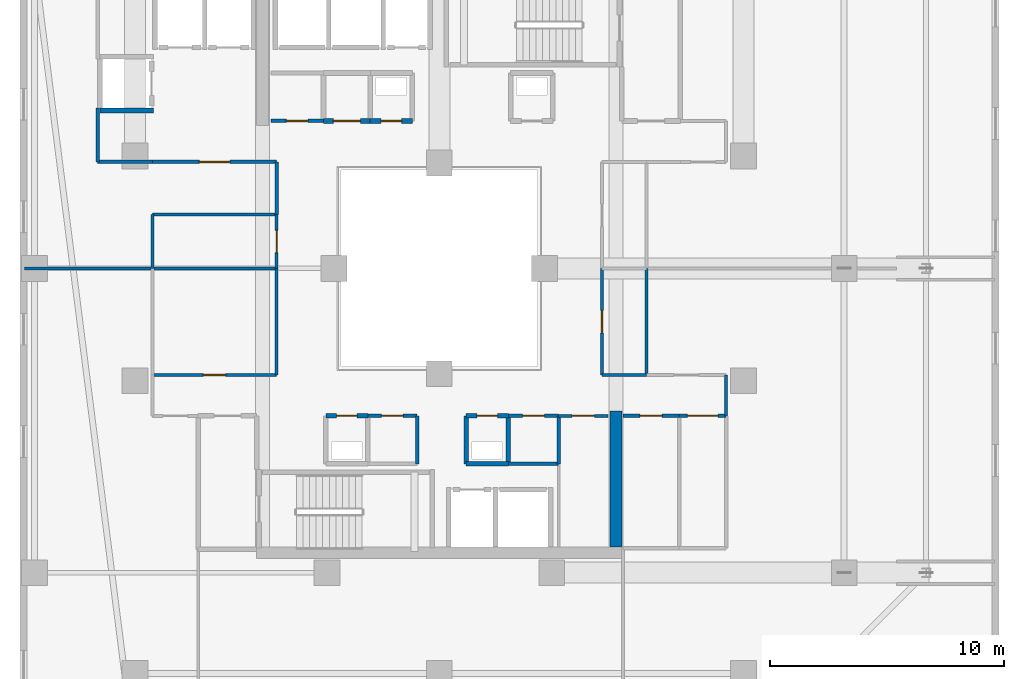
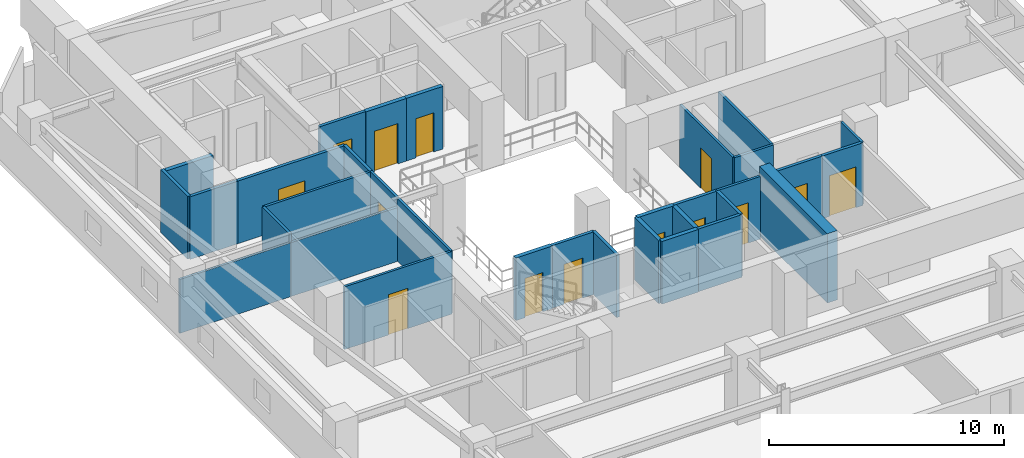
# One storey, part 23 of 36: 33 walls, 14 doors, 14 openings.
"""IFC4 building model written with IfcOpenShell, lengths in metres."""

import ifcopenshell
import ifcopenshell.guid

model = None  # the IFC model being written
_history = None  # IfcOwnerHistory: only IFC2X3 demands one
_inside = {}  # id of a spatial element -> (the spatial element, [elements in it])
_under = {}  # id of a project, library or spatial element -> (it, [spatial elements below it])
_declared = {}  # id of a project -> (the project, [libraries it declares])
_typed = {}  # id of a type object -> (the type object, [elements of that type])
_made_of = {}  # id of a material, layer set ... -> (it, [elements and type objects made of it])


def new_model(schema):
    """Start an empty IFC model of exactly this schema.

    Asked for "IFC4X3", IfcOpenShell would pick the latest addendum, in which some entities
    have other attributes; the version numbers below select the first issue.
    IFC2X3 requires an IfcOwnerHistory on every rooted entity: one is made here for all.
    """
    global model, _history
    if schema == "IFC4X3":
        model = ifcopenshell.file(schema_version=(4, 3, 0, 0))
    else:
        model = ifcopenshell.file(schema=schema)
    _inside.clear()
    _under.clear()
    _declared.clear()
    _typed.clear()
    _made_of.clear()
    _history = None
    if model.schema == "IFC2X3":
        org = make("IfcOrganization", Name="unknown")
        user = make(
            "IfcPersonAndOrganization",
            ThePerson=make("IfcPerson", FamilyName="unknown"),
            TheOrganization=org,
        )
        app = make(
            "IfcApplication",
            ApplicationDeveloper=org,
            Version="unknown",
            ApplicationFullName="unknown",
            ApplicationIdentifier="unknown",
        )
        _history = make(
            "IfcOwnerHistory",
            OwningUser=user,
            OwningApplication=app,
            ChangeAction="ADDED",
            CreationDate=0,
        )
    return model


def make(cls, **values):
    """One entity of the class cls with the attributes given. An attribute that is None is left unset."""
    return model.create_entity(
        cls, **{name: value for name, value in values.items() if value is not None}
    )


def rooted(cls, **values):
    """An entity with a GlobalId (a new one), such as an element, a storey or a relation."""
    return make(cls, GlobalId=ifcopenshell.guid.new(), OwnerHistory=_history, **values)


def si_unit(unit_type, name, prefix=None):
    """IfcSIUnit, for example si_unit("LENGTHUNIT", "METRE", prefix="MILLI")."""
    return make("IfcSIUnit", UnitType=unit_type, Prefix=prefix, Name=name)


def assignment(units):
    """IfcUnitAssignment: the units of a project."""
    return None if units is None else make("IfcUnitAssignment", Units=units)


def point(xyz):
    """IfcCartesianPoint."""
    return None if xyz is None else make("IfcCartesianPoint", Coordinates=xyz)


def direction(xyz):
    """IfcDirection."""
    return None if xyz is None else make("IfcDirection", DirectionRatios=xyz)


def frame(location, z_axis=None, x_axis=None):
    """IfcAxis2Placement3D, a coordinate frame: its origin and axes. An axis left out is left unset."""
    return make(
        "IfcAxis2Placement3D",
        Location=point(location),
        Axis=direction(z_axis),
        RefDirection=direction(x_axis),
    )


def frame_2d(location, x_axis=None):
    """IfcAxis2Placement2D, a coordinate frame in the plane: its origin and x axis."""
    return make(
        "IfcAxis2Placement2D", Location=point(location), RefDirection=direction(x_axis)
    )


def origin():
    """The frame at (0, 0, 0) with its axes left unset."""
    return frame((0.0, 0.0, 0.0))


def place(relative_to, where):
    """IfcLocalPlacement: puts the frame where relative to a parent placement (None: the world)."""
    return make(
        "IfcLocalPlacement", PlacementRelTo=relative_to, RelativePlacement=where
    )


def context(
    kind, dimensions, precision=None, world=None, true_north=None, identifier=None
):
    """IfcGeometricRepresentationContext, for example the 3D "Model" context."""
    return make(
        "IfcGeometricRepresentationContext",
        ContextIdentifier=identifier,
        ContextType=kind,
        CoordinateSpaceDimension=dimensions,
        Precision=precision,
        WorldCoordinateSystem=world,
        TrueNorth=true_north,
    )


def subcontext(parent, identifier, kind, view, scale=None):
    """IfcGeometricRepresentationSubContext, for example "Body" below "Model"."""
    return make(
        "IfcGeometricRepresentationSubContext",
        ContextIdentifier=identifier,
        ContextType=kind,
        ParentContext=parent,
        TargetScale=scale,
        TargetView=view,
    )


def project(units=None, contexts=None):
    """IfcProject with its units and contexts."""
    return rooted(
        "IfcProject",
        Name="project",
        RepresentationContexts=contexts,
        UnitsInContext=assignment(units),
    )


def spatial(cls, under=None, at=None, **own):
    """A site, building, storey or space (cls), placed at a placement, below another one or the project."""
    s = rooted(cls, ObjectPlacement=at, **own)
    if under is not None:
        _under.setdefault(under.id(), (under, []))[1].append(s)
    return s


def profile(cls, at=None, kind="AREA", **sizes):
    """A parametric profile (cls). Its sizes go by their IFC names, for example OverallWidth=200.0."""
    return make(cls, ProfileType=kind, Position=at, **sizes)


def rectangle(**sizes):
    """IfcRectangleProfileDef."""
    return profile("IfcRectangleProfileDef", **sizes)


def extrude(swept, where, along, depth):
    """IfcExtrudedAreaSolid: the profile swept, set in the frame where, extruded along a direction by depth."""
    return make(
        "IfcExtrudedAreaSolid",
        SweptArea=swept,
        Position=where,
        ExtrudedDirection=direction(along),
        Depth=depth,
    )


def shape(context_of_items, identifier, shape_type, items):
    """IfcShapeRepresentation: the items that make up one representation, for example the "Body"."""
    return make(
        "IfcShapeRepresentation",
        ContextOfItems=context_of_items,
        RepresentationIdentifier=identifier,
        RepresentationType=shape_type,
        Items=items,
    )


def material(Name=None, Category=None):
    """IfcMaterial."""
    return make("IfcMaterial", Name=Name, Category=Category)


def layer(
    of_material, thickness, ventilated=None, Name=None, Category=None, Priority=None
):
    """IfcMaterialLayer: one layer of a wall or slab, of a material (None: an air gap)."""
    return make(
        "IfcMaterialLayer",
        Material=of_material,
        LayerThickness=thickness,
        IsVentilated=ventilated,
        Name=Name,
        Category=Category,
        Priority=Priority,
    )


def layer_set(layers, Name=None):
    """IfcMaterialLayerSet."""
    return make("IfcMaterialLayerSet", MaterialLayers=layers, LayerSetName=Name)


def made_of(thing, what):
    """Note that an element or type object is made of a material, layer set ...; save() writes the relation."""
    if what is not None:
        _made_of.setdefault(what.id(), (what, []))[1].append(thing)
    return thing


def type_object(cls, material=None, **own):
    """A type object (cls), such as IfcWallType, which elements share."""
    return made_of(rooted(cls, **own), material)


def element(
    cls,
    number,
    at=None,
    inside=None,
    cuts=None,
    type_object=None,
    material=None,
    context=None,
    identifier="Body",
    shape_type=None,
    held_by="IfcProductDefinitionShape",
    body=None,
    shapes=None,
    **own,
):
    """One element of the class cls, such as IfcWall. Its Tag is "e" and its number.

    at: its placement. inside: the storey or other place that contains it. cuts: it is an
    opening in that element (IfcRelVoidsElement). A single representation is given by context,
    identifier, shape_type and body (its items); several are given by shapes. held_by: the class
    of the entity that holds the representations. save() writes the other relations.
    """
    e = rooted(cls, Tag="e%d" % number, ObjectPlacement=at, **own)
    if body is not None:
        shapes = [shape(context, identifier, shape_type, body)]
    if shapes is not None:
        e.Representation = make(held_by, Representations=shapes)
    if inside is not None:
        _inside.setdefault(inside.id(), (inside, []))[1].append(e)
    if cuts is not None:
        rooted(
            "IfcRelVoidsElement", RelatingBuildingElement=cuts, RelatedOpeningElement=e
        )
    if type_object is not None:
        _typed.setdefault(type_object.id(), (type_object, []))[1].append(e)
    return made_of(e, material)


def fill(opening, filler):
    """IfcRelFillsElement: the door or window that sits in an opening."""
    return rooted(
        "IfcRelFillsElement",
        RelatingOpeningElement=opening,
        RelatedBuildingElement=filler,
    )


def aggregate(whole, parts):
    """IfcRelAggregates: a whole, such as a stair, and the parts it consists of."""
    return rooted("IfcRelAggregates", RelatingObject=whole, RelatedObjects=parts)


def save(model, path):
    """Write the relations noted so far, then the file.

    IfcRelAggregates (storeys below a building ...), IfcRelContainedInSpatialStructure (elements
    in a storey), IfcRelDefinesByType, IfcRelAssociatesMaterial and IfcRelDeclares: one each for
    every whole, place, type object, material and project.
    """
    for whole, parts in _under.values():
        aggregate(whole, parts)
    for where, things in _inside.values():
        rooted(
            "IfcRelContainedInSpatialStructure",
            RelatedElements=things,
            RelatingStructure=where,
        )
    for kind, things in _typed.values():
        rooted("IfcRelDefinesByType", RelatedObjects=things, RelatingType=kind)
    for what, things in _made_of.values():
        rooted("IfcRelAssociatesMaterial", RelatedObjects=things, RelatingMaterial=what)
    for by, libraries in _declared.values():
        rooted("IfcRelDeclares", RelatingContext=by, RelatedDefinitions=libraries)
    model.write(path)


model = new_model("IFC4")

# Units and contexts
model_context = context("Model", 3, precision=1e-05, world=origin(), true_north=direction((0.0, 1.0)))
body_context = subcontext(model_context, "Body", "Model", "MODEL_VIEW")
ifc_project = project(units=[si_unit("LENGTHUNIT", "METRE"), si_unit("AREAUNIT", "SQUARE_METRE"), si_unit("VOLUMEUNIT", "CUBIC_METRE"), si_unit("PLANEANGLEUNIT", "RADIAN"), si_unit("MASSUNIT", "GRAM", prefix="KILO")], contexts=[model_context])

# Site, building, storey
site_placement = place(None, origin())
site = spatial("IfcSite", under=ifc_project, at=site_placement, CompositionType="ELEMENT")
building_placement = place(site_placement, origin())
building = spatial("IfcBuilding", under=site, at=building_placement, Name="Thornwick Lancets Civic Towers", CompositionType="ELEMENT")
storey_placement = place(building_placement, frame((0.0, 0.0, 170.699951171875)))
storey = spatial("IfcBuildingStorey", under=building, at=storey_placement, Name="L45", CompositionType="ELEMENT", Elevation=170.699951171875)

# Walls
ifc_material_1 = material(Name="Concrete blockwork C40/50", Category="masonry")
ifc_layer_1 = layer(ifc_material_1, 0.199951171875, Name="Concrete blockwork C40/50")
ifc_layer_set_1 = layer_set([ifc_layer_1], Name="Concrete blockwork C40/50")
wall_type_1 = type_object("IfcWallType", Name="WALL_COMP_200", PredefinedType="STANDARD", material=ifc_layer_set_1)
wall_1_placement = place(storey_placement, frame((11.001953125, 33.75, 0.0), z_axis=(0.0, 0.0, 1.0), x_axis=(1.0, 0.0, 0.0)))
element("IfcWall", 1, at=wall_1_placement, inside=storey, type_object=wall_type_1, Name="L45 Hoistway Shaft Wall PL-AM3 S", PredefinedType="STANDARD", context=body_context, shape_type="SweptSolid", body=[
    extrude(rectangle(XDim=2.296142578125, YDim=0.199951171875, at=frame_2d((1.14794921875, 0.0))), origin(), (0.0, 0.0, 1.0), 3.260009765625),
])
wall_2_placement = place(storey_placement, frame((26.64990234375, 18.64990234375, 0.0), z_axis=(0.0, 0.0, 1.0), x_axis=(1.0, 0.0, 0.0)))
element("IfcWall", 2, at=wall_2_placement, inside=storey, type_object=wall_type_1, Name="L45 Partition L45-A-DUCT1 E1", PredefinedType="STANDARD", context=body_context, shape_type="SweptSolid", body=[
    extrude(rectangle(XDim=1.800048828125, YDim=0.199951171875, at=frame_2d((0.89990234375, 0.0))), origin(), (0.0, 0.0, 1.0), 3.260009765625),
])
wall_3_placement = place(storey_placement, frame((28.449951171875, 18.64990234375, 0.0), z_axis=(0.0, 0.0, 1.0), x_axis=(0.0, 1.0, 0.0)))
element("IfcWall", 3, at=wall_3_placement, inside=storey, type_object=wall_type_1, Name="L45 Partition L45-A-DUCT1 E2", PredefinedType="STANDARD", context=body_context, shape_type="SweptSolid", body=[
    extrude(rectangle(XDim=2.050048828125, YDim=0.199951171875, at=frame_2d((1.02490234375, 0.0))), origin(), (0.0, 0.0, 1.0), 3.260009765625),
])

# Wall, opening, door
wall_4_placement = place(storey_placement, frame((28.449951171875, 20.699951171875, 0.0), z_axis=(0.0, 0.0, 1.0), x_axis=(-1.0, 0.0, 0.0)))
wall_4 = element("IfcWall", 4, at=wall_4_placement, inside=storey, type_object=wall_type_1, Name="L45 Partition L45-A-DUCT1 E3", PredefinedType="STANDARD", context=body_context, shape_type="SweptSolid", body=[
    extrude(rectangle(XDim=1.800048828125, YDim=0.199951171875, at=frame_2d((0.89990234375, 0.0))), origin(), (0.0, 0.0, 1.0), 3.260009765625),
])
opening_1_placement = place(wall_4_placement, frame((0.4599609375, 0.0, 0.0)))
opening_1 = element("IfcOpeningElement", 5, at=opening_1_placement, cuts=wall_4, Name="Opening D-L45-2005", PredefinedType="OPENING", context=body_context, shape_type="SweptSolid", body=[
    extrude(rectangle(XDim=0.8798828125, YDim=2.0400390625, at=frame_2d((0.43994140625, 1.02001953125))), frame((0.0, 0.10986328125, 0.0), z_axis=(0.0, -1.0, 0.0), x_axis=(1.0, 0.0, 0.0)), (0.0, 0.0, 1.0), 0.219970703125),
])
ifc_material_2 = material(Name="Steel riser access doorset", Category="steel")
door_type_1 = type_object("IfcDoorType", Name="DOOR_RISER_850", OperationType="NOTDEFINED", PredefinedType="DOOR", material=ifc_material_2)
door_1_placement = place(opening_1_placement, origin())
door_1 = element("IfcDoor", 6, at=door_1_placement, inside=storey, type_object=door_type_1, Name="L45 South Service Duct 1 Door", OperationType="SINGLE_SWING_RIGHT", OverallHeight=2.0400390625, OverallWidth=0.8798828125, PredefinedType="DOOR", context=body_context, shape_type="SweptSolid", body=[
    extrude(rectangle(XDim=0.8798828125, YDim=2.0400390625, at=frame_2d((0.43994140625, 1.02001953125))), frame((0.0, 0.02490234375, 0.0), z_axis=(0.0, -1.0, 0.0), x_axis=(1.0, 0.0, 0.0)), (0.0, 0.0, 1.0), 0.050048828125),
])
fill(opening_1, door_1)

# Wall
wall_5_placement = place(storey_placement, frame((26.64990234375, 20.699951171875, 0.0), z_axis=(0.0, 0.0, 1.0), x_axis=(0.0, -1.0, 0.0)))
element("IfcWall", 7, at=wall_5_placement, inside=storey, type_object=wall_type_1, Name="L45 Partition L45-A-DUCT1 E4", PredefinedType="STANDARD", context=body_context, shape_type="SweptSolid", body=[
    extrude(rectangle(XDim=2.050048828125, YDim=0.199951171875, at=frame_2d((1.02490234375, 0.0))), origin(), (0.0, 0.0, 1.0), 3.260009765625),
])

# Wall, opening, door
wall_6_placement = place(storey_placement, frame((22.449951171875, 20.699951171875, 0.0), z_axis=(0.0, 0.0, 1.0), x_axis=(-1.0, 0.0, 0.0)))
wall_6 = element("IfcWall", 8, at=wall_6_placement, inside=storey, type_object=wall_type_1, Name="L45 Partition L45-A-RISER1 E3", PredefinedType="STANDARD", context=body_context, shape_type="SweptSolid", body=[
    extrude(rectangle(XDim=1.800048828125, YDim=0.199951171875, at=frame_2d((0.89990234375, 0.0))), origin(), (0.0, 0.0, 1.0), 3.260009765625),
])
opening_2_placement = place(wall_6_placement, frame((0.4599609375, 0.0, 0.0)))
opening_2 = element("IfcOpeningElement", 9, at=opening_2_placement, cuts=wall_6, Name="Opening D-L45-2006", PredefinedType="OPENING", context=body_context, shape_type="SweptSolid", body=[
    extrude(rectangle(XDim=0.8798828125, YDim=2.0400390625, at=frame_2d((0.43994140625, 1.02001953125))), frame((0.0, 0.10986328125, 0.0), z_axis=(0.0, -1.0, 0.0), x_axis=(1.0, 0.0, 0.0)), (0.0, 0.0, 1.0), 0.219970703125),
])
door_2_placement = place(opening_2_placement, origin())
door_2 = element("IfcDoor", 10, at=door_2_placement, inside=storey, type_object=door_type_1, Name="L45 South Electrical Riser 1 Door", OperationType="SINGLE_SWING_LEFT", OverallHeight=2.0400390625, OverallWidth=0.8798828125, PredefinedType="DOOR", context=body_context, shape_type="SweptSolid", body=[
    extrude(rectangle(XDim=0.8798828125, YDim=2.0400390625, at=frame_2d((0.43994140625, 1.02001953125))), frame((0.0, 0.02490234375, 0.0), z_axis=(0.0, -1.0, 0.0), x_axis=(1.0, 0.0, 0.0)), (0.0, 0.0, 1.0), 0.050048828125),
])
fill(opening_2, door_2)

wall_7_placement = place(storey_placement, frame((22.550048828125, 33.300048828125, 0.0), z_axis=(0.0, 0.0, 1.0), x_axis=(1.0, 0.0, 0.0)))
wall_7 = element("IfcWall", 11, at=wall_7_placement, inside=storey, type_object=wall_type_1, Name="L45 Partition L45-A-DUCT2 E1", PredefinedType="STANDARD", context=body_context, shape_type="SweptSolid", body=[
    extrude(rectangle(XDim=1.800048828125, YDim=0.199951171875, at=frame_2d((0.89990234375, 0.0))), origin(), (0.0, 0.0, 1.0), 3.260009765625),
])
opening_3_placement = place(wall_7_placement, frame((0.4599609375, 0.0, 0.0)))
opening_3 = element("IfcOpeningElement", 12, at=opening_3_placement, cuts=wall_7, Name="Opening D-L45-2007", PredefinedType="OPENING", context=body_context, shape_type="SweptSolid", body=[
    extrude(rectangle(XDim=0.8798828125, YDim=2.0400390625, at=frame_2d((0.43994140625, 1.02001953125))), frame((0.0, 0.10986328125, 0.0), z_axis=(0.0, -1.0, 0.0), x_axis=(1.0, 0.0, 0.0)), (0.0, 0.0, 1.0), 0.219970703125),
])
door_3_placement = place(opening_3_placement, origin())
door_3 = element("IfcDoor", 13, at=door_3_placement, inside=storey, type_object=door_type_1, Name="L45 North Service Duct 2 Door", OperationType="SINGLE_SWING_RIGHT", OverallHeight=2.0400390625, OverallWidth=0.8798828125, PredefinedType="DOOR", context=body_context, shape_type="SweptSolid", body=[
    extrude(rectangle(XDim=0.8798828125, YDim=2.0400390625, at=frame_2d((0.43994140625, 1.02001953125))), frame((0.0, 0.02490234375, 0.0), z_axis=(0.0, -1.0, 0.0), x_axis=(1.0, 0.0, 0.0)), (0.0, 0.0, 1.0), 0.050048828125),
])
fill(opening_3, door_3)

wall_8_placement = place(storey_placement, frame((22.550048828125, 33.300048828125, 0.0), z_axis=(0.0, 0.0, 1.0), x_axis=(-1.0, 0.0, 0.0)))
wall_8 = element("IfcWall", 14, at=wall_8_placement, inside=storey, type_object=wall_type_1, Name="L45 Partition L45-A-STR E4", PredefinedType="STANDARD", context=body_context, shape_type="SweptSolid", body=[
    extrude(rectangle(XDim=2.0, YDim=0.199951171875, at=frame_2d((1.0, 0.0))), origin(), (0.0, 0.0, 1.0), 3.260009765625),
])
opening_4_placement = place(wall_8_placement, frame((0.425048828125, 0.0, 0.0)))
opening_4 = element("IfcOpeningElement", 15, at=opening_4_placement, cuts=wall_8, Name="Opening D-L45-2013", PredefinedType="OPENING", context=body_context, shape_type="SweptSolid", body=[
    extrude(rectangle(XDim=1.14990234375, YDim=2.10009765625, at=frame_2d((0.574951171875, 1.050048828125))), frame((0.0, 0.10986328125, 0.0), z_axis=(0.0, -1.0, 0.0), x_axis=(1.0, 0.0, 0.0)), (0.0, 0.0, 1.0), 0.219970703125),
])
ifc_material_3 = material(Name="Glazed fire-resisting steel", Category="steel")
door_type_2 = type_object("IfcDoorType", Name="DOOR_LOBBY_FD60", OperationType="NOTDEFINED", PredefinedType="DOOR", material=ifc_material_3)
door_4_placement = place(opening_4_placement, origin())
door_4 = element("IfcDoor", 16, at=door_4_placement, inside=storey, type_object=door_type_2, Name="L45 Tower A Core Records Store Door", OperationType="SINGLE_SWING_RIGHT", OverallHeight=2.10009765625, OverallWidth=1.14990234375, PredefinedType="DOOR", context=body_context, shape_type="SweptSolid", body=[
    extrude(rectangle(XDim=1.14990234375, YDim=2.10009765625, at=frame_2d((0.574951171875, 1.050048828125))), frame((0.0, 0.02490234375, 0.0), z_axis=(0.0, -1.0, 0.0), x_axis=(1.0, 0.0, 0.0)), (0.0, 0.0, 1.0), 0.050048828125),
])
fill(opening_4, door_4)

# Wall
ifc_material_4 = material(Name="Concrete C50/60", Category="concrete")
ifc_layer_2 = layer(ifc_material_4, 0.5, Name="Concrete C50/60")
ifc_layer_set_2 = layer_set([ifc_layer_2], Name="Concrete C50/60")
wall_type_2 = type_object("IfcWallType", Name="WALL_CORE_500", PredefinedType="SHEAR", material=ifc_layer_set_2)
wall_9_placement = place(storey_placement, frame((33.050048828125, 15.10009765625, 0.0), z_axis=(0.0, 0.0, 1.0), x_axis=(0.0, 1.0, 0.0)))
element("IfcWall", 17, at=wall_9_placement, inside=storey, type_object=wall_type_2, Name="L45 Split Core A1 Shear Wall E", PredefinedType="SHEAR", context=body_context, shape_type="SweptSolid", body=[
    extrude(rectangle(XDim=5.7998046875, YDim=0.5, at=frame_2d((2.89990234375, 0.0))), origin(), (0.0, 0.0, 1.0), 3.60009765625),
])

# Wall, opening, door
ifc_material_5 = material(Name="Acoustic gypsum board partition")
ifc_layer_3 = layer(ifc_material_5, 0.1201171875, Name="Acoustic gypsum board partition")
ifc_layer_set_3 = layer_set([ifc_layer_3], Name="Acoustic gypsum board partition")
wall_type_3 = type_object("IfcWallType", Name="WALL_PART_120", PredefinedType="PARTITIONING", material=ifc_layer_set_3)
wall_10_placement = place(storey_placement, frame((30.60009765625, 20.699951171875, 0.0), z_axis=(0.0, 0.0, 1.0), x_axis=(1.0, 0.0, 0.0)))
wall_10 = element("IfcWall", 18, at=wall_10_placement, inside=storey, type_object=wall_type_3, Name="L45 Partition L45-A-ITR E5", PredefinedType="PARTITIONING", context=body_context, shape_type="SweptSolid", body=[
    extrude(rectangle(XDim=2.099853515625, YDim=0.1201171875, at=frame_2d((1.0498046875, 0.0))), origin(), (0.0, 0.0, 1.0), 3.260009765625),
])
opening_5_placement = place(wall_10_placement, frame((0.574951171875, 0.0, 0.0)))
opening_5 = element("IfcOpeningElement", 19, at=opening_5_placement, cuts=wall_10, Name="Opening D-L45-2011", PredefinedType="OPENING", context=body_context, shape_type="SweptSolid", body=[
    extrude(rectangle(XDim=0.949951171875, YDim=2.10009765625, at=frame_2d((0.47509765625, 1.050048828125))), frame((0.0, 0.070068359375, 0.0), z_axis=(0.0, -1.0, 0.0), x_axis=(1.0, 0.0, 0.0)), (0.0, 0.0, 1.0), 0.14013671875),
])
ifc_material_6 = material(Name="European oak acoustic doorset")
door_type_3 = type_object("IfcDoorType", Name="DOOR_OFFICE_950", OperationType="NOTDEFINED", PredefinedType="DOOR", material=ifc_material_6)
door_5_placement = place(opening_5_placement, origin())
door_5 = element("IfcDoor", 20, at=door_5_placement, inside=storey, type_object=door_type_3, Name="L45 Tower A Comms Patch Room Door", OperationType="SINGLE_SWING_RIGHT", OverallHeight=2.10009765625, OverallWidth=0.949951171875, PredefinedType="DOOR", context=body_context, shape_type="SweptSolid", body=[
    extrude(rectangle(XDim=0.949951171875, YDim=2.10009765625, at=frame_2d((0.47509765625, 1.050048828125))), frame((0.0, 0.02490234375, 0.0), z_axis=(0.0, -1.0, 0.0), x_axis=(1.0, 0.0, 0.0)), (0.0, 0.0, 1.0), 0.050048828125),
])
fill(opening_5, door_5)

# Walls
wall_11_placement = place(storey_placement, frame((7.780029296875, 27.0, 0.0), z_axis=(0.0, 0.0, 1.0), x_axis=(1.0, 0.0, 0.0)))
element("IfcWall", 21, at=wall_11_placement, inside=storey, type_object=wall_type_3, Name="L45 Partition L45-A-W1 E9", PredefinedType="PARTITIONING", context=body_context, shape_type="SweptSolid", body=[
    extrude(rectangle(XDim=5.469970703125, YDim=0.1201171875, at=frame_2d((2.73486328125, 0.0))), origin(), (0.0, 0.0, 1.0), 2.8017578125),
])
wall_12_placement = place(storey_placement, frame((13.25, 27.0, 0.0), z_axis=(0.0, 0.0, 1.0), x_axis=(1.0, 0.0, 0.0)))
element("IfcWall", 22, at=wall_12_placement, inside=storey, type_object=wall_type_3, Name="L45 Partition L45-A-W2 E2", PredefinedType="PARTITIONING", context=body_context, shape_type="SweptSolid", body=[
    extrude(rectangle(XDim=5.300048828125, YDim=0.1201171875, at=frame_2d((2.64990234375, 0.0))), origin(), (0.0, 0.0, 1.0), 2.8017578125),
])
wall_13_placement = place(storey_placement, frame((18.550048828125, 27.0, 0.0), z_axis=(0.0, 0.0, 1.0), x_axis=(0.0, -1.0, 0.0)))
element("IfcWall", 23, at=wall_13_placement, inside=storey, type_object=wall_type_3, Name="L45 Partition L45-A-W2 E3", PredefinedType="PARTITIONING", context=body_context, shape_type="SweptSolid", body=[
    extrude(rectangle(XDim=4.550048828125, YDim=0.1201171875, at=frame_2d((2.27490234375, 0.0))), origin(), (0.0, 0.0, 1.0), 3.260009765625),
])

# Wall, opening, door
wall_14_placement = place(storey_placement, frame((18.550048828125, 22.449951171875, 0.0), z_axis=(0.0, 0.0, 1.0), x_axis=(-1.0, 0.0, 0.0)))
wall_14 = element("IfcWall", 24, at=wall_14_placement, inside=storey, type_object=wall_type_3, Name="L45 Partition L45-A-W2 E4", PredefinedType="PARTITIONING", context=body_context, shape_type="SweptSolid", body=[
    extrude(rectangle(XDim=5.300048828125, YDim=0.1201171875, at=frame_2d((2.64990234375, 0.0))), origin(), (0.0, 0.0, 1.0), 3.260009765625),
])
opening_6_placement = place(wall_14_placement, frame((2.175048828125, 0.0, 0.0)))
opening_6 = element("IfcOpeningElement", 25, at=opening_6_placement, cuts=wall_14, Name="Opening D-L45-2028", PredefinedType="OPENING", context=body_context, shape_type="SweptSolid", body=[
    extrude(rectangle(XDim=0.949951171875, YDim=2.10009765625, at=frame_2d((0.47509765625, 1.050048828125))), frame((0.0, 0.070068359375, 0.0), z_axis=(0.0, -1.0, 0.0), x_axis=(1.0, 0.0, 0.0)), (0.0, 0.0, 1.0), 0.14013671875),
])
door_6_placement = place(opening_6_placement, origin())
door_6 = element("IfcDoor", 26, at=door_6_placement, inside=storey, type_object=door_type_3, Name="L45 Tower A Statutory Research Suite Door", OperationType="SINGLE_SWING_LEFT", OverallHeight=2.10009765625, OverallWidth=0.949951171875, PredefinedType="DOOR", context=body_context, shape_type="SweptSolid", body=[
    extrude(rectangle(XDim=0.949951171875, YDim=2.10009765625, at=frame_2d((0.47509765625, 1.050048828125))), frame((0.0, 0.02490234375, 0.0), z_axis=(0.0, -1.0, 0.0), x_axis=(1.0, 0.0, 0.0)), (0.0, 0.0, 1.0), 0.050048828125),
])
fill(opening_6, door_6)

# Walls
wall_15_placement = place(storey_placement, frame((13.25, 27.0, 0.0), z_axis=(0.0, 0.0, 1.0), x_axis=(0.0, 1.0, 0.0)))
element("IfcWall", 27, at=wall_15_placement, inside=storey, type_object=wall_type_3, Name="L45 Partition L45-A-W3 E1", PredefinedType="PARTITIONING", context=body_context, shape_type="SweptSolid", body=[
    extrude(rectangle(XDim=2.300048828125, YDim=0.1201171875, at=frame_2d((1.14990234375, 0.0))), origin(), (0.0, 0.0, 1.0), 3.260009765625),
])
wall_16_placement = place(storey_placement, frame((13.25, 29.300048828125, 0.0), z_axis=(0.0, 0.0, 1.0), x_axis=(1.0, 0.0, 0.0)))
element("IfcWall", 28, at=wall_16_placement, inside=storey, type_object=wall_type_3, Name="L45 Partition L45-A-W3 E2", PredefinedType="PARTITIONING", context=body_context, shape_type="SweptSolid", body=[
    extrude(rectangle(XDim=5.300048828125, YDim=0.1201171875, at=frame_2d((2.64990234375, 0.0))), origin(), (0.0, 0.0, 1.0), 3.260009765625),
])

# Wall, opening, door
wall_17_placement = place(storey_placement, frame((18.550048828125, 29.300048828125, 0.0), z_axis=(0.0, 0.0, 1.0), x_axis=(0.0, -1.0, 0.0)))
wall_17 = element("IfcWall", 29, at=wall_17_placement, inside=storey, type_object=wall_type_3, Name="L45 Partition L45-A-W3 E3", PredefinedType="PARTITIONING", context=body_context, shape_type="SweptSolid", body=[
    extrude(rectangle(XDim=2.300048828125, YDim=0.1201171875, at=frame_2d((1.14990234375, 0.0))), origin(), (0.0, 0.0, 1.0), 3.260009765625),
])
opening_7_placement = place(wall_17_placement, frame((0.675048828125, 0.0, 0.0)))
opening_7 = element("IfcOpeningElement", 30, at=opening_7_placement, cuts=wall_17, Name="Opening D-L45-2029", PredefinedType="OPENING", context=body_context, shape_type="SweptSolid", body=[
    extrude(rectangle(XDim=0.949951171875, YDim=2.10009765625, at=frame_2d((0.47509765625, 1.050048828125))), frame((0.0, 0.070068359375, 0.0), z_axis=(0.0, -1.0, 0.0), x_axis=(1.0, 0.0, 0.0)), (0.0, 0.0, 1.0), 0.14013671875),
])
door_7_placement = place(opening_7_placement, origin())
door_7 = element("IfcDoor", 31, at=door_7_placement, inside=storey, type_object=door_type_3, Name="L45 Tower A Staff Tea Pantry and Lounge Door", OperationType="SINGLE_SWING_RIGHT", OverallHeight=2.10009765625, OverallWidth=0.949951171875, PredefinedType="DOOR", context=body_context, shape_type="SweptSolid", body=[
    extrude(rectangle(XDim=0.949951171875, YDim=2.10009765625, at=frame_2d((0.47509765625, 1.050048828125))), frame((0.0, 0.02490234375, 0.0), z_axis=(0.0, -1.0, 0.0), x_axis=(1.0, 0.0, 0.0)), (0.0, 0.0, 1.0), 0.050048828125),
])
fill(opening_7, door_7)

wall_18_placement = place(storey_placement, frame((32.449951171875, 22.449951171875, 0.0), z_axis=(0.0, 0.0, 1.0), x_axis=(0.0, 1.0, 0.0)))
wall_18 = element("IfcWall", 32, at=wall_18_placement, inside=storey, type_object=wall_type_3, Name="L45 Partition L45-A-E1 E1", PredefinedType="PARTITIONING", context=body_context, shape_type="SweptSolid", body=[
    extrude(rectangle(XDim=4.550048828125, YDim=0.1201171875, at=frame_2d((2.27490234375, 0.0))), origin(), (0.0, 0.0, 1.0), 3.260009765625),
])
opening_8_placement = place(wall_18_placement, frame((1.800048828125, 0.0, 0.0)))
opening_8 = element("IfcOpeningElement", 33, at=opening_8_placement, cuts=wall_18, Name="Opening D-L45-2031", PredefinedType="OPENING", context=body_context, shape_type="SweptSolid", body=[
    extrude(rectangle(XDim=0.949951171875, YDim=2.10009765625, at=frame_2d((0.47509765625, 1.050048828125))), frame((0.0, 0.070068359375, 0.0), z_axis=(0.0, -1.0, 0.0), x_axis=(1.0, 0.0, 0.0)), (0.0, 0.0, 1.0), 0.14013671875),
])
door_8_placement = place(opening_8_placement, origin())
door_8 = element("IfcDoor", 34, at=door_8_placement, inside=storey, type_object=door_type_3, Name="L45 Tower A Visitors Reception and Waiting Door", OperationType="SINGLE_SWING_RIGHT", OverallHeight=2.10009765625, OverallWidth=0.949951171875, PredefinedType="DOOR", context=body_context, shape_type="SweptSolid", body=[
    extrude(rectangle(XDim=0.949951171875, YDim=2.10009765625, at=frame_2d((0.47509765625, 1.050048828125))), frame((0.0, 0.02490234375, 0.0), z_axis=(0.0, -1.0, 0.0), x_axis=(1.0, 0.0, 0.0)), (0.0, 0.0, 1.0), 0.050048828125),
])
fill(opening_8, door_8)

# Walls
wall_19_placement = place(storey_placement, frame((34.35009765625, 27.0, 0.0), z_axis=(0.0, 0.0, 1.0), x_axis=(0.0, -1.0, 0.0)))
element("IfcWall", 35, at=wall_19_placement, inside=storey, type_object=wall_type_3, Name="L45 Partition L45-A-E1 E3", PredefinedType="PARTITIONING", context=body_context, shape_type="SweptSolid", body=[
    extrude(rectangle(XDim=4.550048828125, YDim=0.1201171875, at=frame_2d((2.27490234375, 0.0))), origin(), (0.0, 0.0, 1.0), 3.260009765625),
])
wall_20_placement = place(storey_placement, frame((34.35009765625, 22.449951171875, 0.0), z_axis=(0.0, 0.0, 1.0), x_axis=(-1.0, 0.0, 0.0)))
element("IfcWall", 36, at=wall_20_placement, inside=storey, type_object=wall_type_3, Name="L45 Partition L45-A-E1 E4", PredefinedType="PARTITIONING", context=body_context, shape_type="SweptSolid", body=[
    extrude(rectangle(XDim=1.900146484375, YDim=0.1201171875, at=frame_2d((0.9501953125, 0.0))), origin(), (0.0, 0.0, 1.0), 3.260009765625),
])
wall_21_placement = place(storey_placement, frame((37.75, 20.699951171875, 0.0), z_axis=(0.0, 0.0, 1.0), x_axis=(0.0, 1.0, 0.0)))
element("IfcWall", 37, at=wall_21_placement, inside=storey, type_object=wall_type_3, Name="L45 Partition L45-A-E2 E6", PredefinedType="PARTITIONING", context=body_context, shape_type="SweptSolid", body=[
    extrude(rectangle(XDim=1.75, YDim=0.1201171875, at=frame_2d((0.875, 0.0))), origin(), (0.0, 0.0, 1.0), 3.260009765625),
])
ifc_material_7 = material(Name="Twin-stud acoustic gypsum board")
ifc_layer_4 = layer(ifc_material_7, 0.14990234375, Name="Twin-stud acoustic gypsum board")
ifc_layer_set_4 = layer_set([ifc_layer_4], Name="Twin-stud acoustic gypsum board")
wall_type_4 = type_object("IfcWallType", Name="WALL_PART_150", PredefinedType="PARTITIONING", material=ifc_layer_set_4)
wall_22_placement = place(storey_placement, frame((24.550048828125, 20.699951171875, 0.0), z_axis=(0.0, 0.0, 1.0), x_axis=(0.0, -1.0, 0.0)))
element("IfcWall", 38, at=wall_22_placement, inside=storey, type_object=wall_type_4, Name="L45 Partition L45-A-MWC E1", PredefinedType="PARTITIONING", context=body_context, shape_type="SweptSolid", body=[
    extrude(rectangle(XDim=2.050048828125, YDim=0.14990234375, at=frame_2d((1.02490234375, 0.0))), origin(), (0.0, 0.0, 1.0), 3.260009765625),
])

# Wall, opening, door
wall_23_placement = place(storey_placement, frame((22.449951171875, 20.699951171875, 0.0), z_axis=(0.0, 0.0, 1.0), x_axis=(1.0, 0.0, 0.0)))
wall_23 = element("IfcWall", 39, at=wall_23_placement, inside=storey, type_object=wall_type_4, Name="L45 Partition L45-A-MWC E4", PredefinedType="PARTITIONING", context=body_context, shape_type="SweptSolid", body=[
    extrude(rectangle(XDim=2.10009765625, YDim=0.14990234375, at=frame_2d((1.050048828125, 0.0))), origin(), (0.0, 0.0, 1.0), 3.260009765625),
])
opening_9_placement = place(wall_23_placement, frame((0.590087890625, 0.0, 0.0)))
opening_9 = element("IfcOpeningElement", 40, at=opening_9_placement, cuts=wall_23, Name="Opening D-L45-2009", PredefinedType="OPENING", context=body_context, shape_type="SweptSolid", body=[
    extrude(rectangle(XDim=0.919921875, YDim=2.080078125, at=frame_2d((0.4599609375, 1.0400390625))), frame((0.0, 0.0849609375, 0.0), z_axis=(0.0, -1.0, 0.0), x_axis=(1.0, 0.0, 0.0)), (0.0, 0.0, 1.0), 0.169921875),
])
ifc_material_8 = material(Name="Moisture-resistant oak doorset")
door_type_4 = type_object("IfcDoorType", Name="DOOR_WC_900", OperationType="NOTDEFINED", PredefinedType="DOOR", material=ifc_material_8)
door_9_placement = place(opening_9_placement, origin())
door_9 = element("IfcDoor", 41, at=door_9_placement, inside=storey, type_object=door_type_4, Name="L45 Tower A Male WC Door", OperationType="SINGLE_SWING_RIGHT", OverallHeight=2.080078125, OverallWidth=0.919921875, PredefinedType="DOOR", context=body_context, shape_type="SweptSolid", body=[
    extrude(rectangle(XDim=0.919921875, YDim=2.080078125, at=frame_2d((0.4599609375, 1.0400390625))), frame((0.0, 0.02490234375, 0.0), z_axis=(0.0, -1.0, 0.0), x_axis=(1.0, 0.0, 0.0)), (0.0, 0.0, 1.0), 0.050048828125),
])
fill(opening_9, door_9)

# Walls
wall_24_placement = place(storey_placement, frame((30.60009765625, 20.699951171875, 0.0), z_axis=(0.0, 0.0, 1.0), x_axis=(0.0, -1.0, 0.0)))
element("IfcWall", 42, at=wall_24_placement, inside=storey, type_object=wall_type_4, Name="L45 Partition L45-A-FWC E1", PredefinedType="PARTITIONING", context=body_context, shape_type="SweptSolid", body=[
    extrude(rectangle(XDim=2.050048828125, YDim=0.14990234375, at=frame_2d((1.02490234375, 0.0))), origin(), (0.0, 0.0, 1.0), 3.260009765625),
])
wall_25_placement = place(storey_placement, frame((30.60009765625, 18.64990234375, 0.0), z_axis=(0.0, 0.0, 1.0), x_axis=(-1.0, 0.0, 0.0)))
element("IfcWall", 43, at=wall_25_placement, inside=storey, type_object=wall_type_4, Name="L45 Partition L45-A-FWC E2", PredefinedType="PARTITIONING", context=body_context, shape_type="SweptSolid", body=[
    extrude(rectangle(XDim=2.150146484375, YDim=0.14990234375, at=frame_2d((1.0751953125, 0.0))), origin(), (0.0, 0.0, 1.0), 3.260009765625),
])

# Wall, opening, door
wall_26_placement = place(storey_placement, frame((28.449951171875, 20.699951171875, 0.0), z_axis=(0.0, 0.0, 1.0), x_axis=(1.0, 0.0, 0.0)))
wall_26 = element("IfcWall", 44, at=wall_26_placement, inside=storey, type_object=wall_type_4, Name="L45 Partition L45-A-FWC E4", PredefinedType="PARTITIONING", context=body_context, shape_type="SweptSolid", body=[
    extrude(rectangle(XDim=2.150146484375, YDim=0.14990234375, at=frame_2d((1.0751953125, 0.0))), origin(), (0.0, 0.0, 1.0), 3.260009765625),
])
opening_10_placement = place(wall_26_placement, frame((0.614990234375, 0.0, 0.0)))
opening_10 = element("IfcOpeningElement", 45, at=opening_10_placement, cuts=wall_26, Name="Opening D-L45-2010", PredefinedType="OPENING", context=body_context, shape_type="SweptSolid", body=[
    extrude(rectangle(XDim=0.919921875, YDim=2.080078125, at=frame_2d((0.4599609375, 1.0400390625))), frame((0.0, 0.0849609375, 0.0), z_axis=(0.0, -1.0, 0.0), x_axis=(1.0, 0.0, 0.0)), (0.0, 0.0, 1.0), 0.169921875),
])
door_10_placement = place(opening_10_placement, origin())
door_10 = element("IfcDoor", 46, at=door_10_placement, inside=storey, type_object=door_type_4, Name="L45 Tower A Female WC Door", OperationType="SINGLE_SWING_LEFT", OverallHeight=2.080078125, OverallWidth=0.919921875, PredefinedType="DOOR", context=body_context, shape_type="SweptSolid", body=[
    extrude(rectangle(XDim=0.919921875, YDim=2.080078125, at=frame_2d((0.4599609375, 1.0400390625))), frame((0.0, 0.02490234375, 0.0), z_axis=(0.0, -1.0, 0.0), x_axis=(1.0, 0.0, 0.0)), (0.0, 0.0, 1.0), 0.050048828125),
])
fill(opening_10, door_10)

wall_27_placement = place(storey_placement, frame((18.300048828125, 33.300048828125, 0.0), z_axis=(0.0, 0.0, 1.0), x_axis=(1.0, 0.0, 0.0)))
wall_27 = element("IfcWall", 47, at=wall_27_placement, inside=storey, type_object=wall_type_4, Name="L45 Partition L45-A-AWC E1", PredefinedType="PARTITIONING", context=body_context, shape_type="SweptSolid", body=[
    extrude(rectangle(XDim=2.25, YDim=0.14990234375, at=frame_2d((1.125, 0.0))), origin(), (0.0, 0.0, 1.0), 3.260009765625),
])
opening_11_placement = place(wall_27_placement, frame((0.6650390625, 0.0, 0.0)))
opening_11 = element("IfcOpeningElement", 48, at=opening_11_placement, cuts=wall_27, Name="Opening D-L45-2012", PredefinedType="OPENING", context=body_context, shape_type="SweptSolid", body=[
    extrude(rectangle(XDim=0.919921875, YDim=2.080078125, at=frame_2d((0.4599609375, 1.0400390625))), frame((0.0, 0.0849609375, 0.0), z_axis=(0.0, -1.0, 0.0), x_axis=(1.0, 0.0, 0.0)), (0.0, 0.0, 1.0), 0.169921875),
])
door_11_placement = place(opening_11_placement, origin())
door_11 = element("IfcDoor", 49, at=door_11_placement, inside=storey, type_object=door_type_4, Name="L45 Tower A Accessible WC Door", OperationType="SINGLE_SWING_LEFT", OverallHeight=2.080078125, OverallWidth=0.919921875, PredefinedType="DOOR", context=body_context, shape_type="SweptSolid", body=[
    extrude(rectangle(XDim=0.919921875, YDim=2.080078125, at=frame_2d((0.4599609375, 1.0400390625))), frame((0.0, 0.02490234375, 0.0), z_axis=(0.0, -1.0, 0.0), x_axis=(1.0, 0.0, 0.0)), (0.0, 0.0, 1.0), 0.050048828125),
])
fill(opening_11, door_11)

wall_28_placement = place(storey_placement, frame((33.35009765625, 20.699951171875, 0.0), z_axis=(0.0, 0.0, 1.0), x_axis=(1.0, 0.0, 0.0)))
wall_28 = element("IfcWall", 50, at=wall_28_placement, inside=storey, type_object=wall_type_4, Name="L45 Partition L45-A-RECLAIM-L1 E3", PredefinedType="PARTITIONING", context=body_context, shape_type="SweptSolid", body=[
    extrude(rectangle(XDim=2.39990234375, YDim=0.14990234375, at=frame_2d((1.199951171875, 0.0))), origin(), (0.0, 0.0, 1.0), 3.260009765625),
])
opening_12_placement = place(wall_28_placement, frame((0.72509765625, 0.0, 0.0)))
opening_12 = element("IfcOpeningElement", 51, at=opening_12_placement, cuts=wall_28, Name="Opening D-L45-2025", PredefinedType="OPENING", context=body_context, shape_type="SweptSolid", body=[
    extrude(rectangle(XDim=0.949951171875, YDim=2.10009765625, at=frame_2d((0.47509765625, 1.050048828125))), frame((0.0, 0.0849609375, 0.0), z_axis=(0.0, -1.0, 0.0), x_axis=(1.0, 0.0, 0.0)), (0.0, 0.0, 1.0), 0.169921875),
])
door_12_placement = place(opening_12_placement, origin())
door_12 = element("IfcDoor", 52, at=door_12_placement, inside=storey, type_object=door_type_3, Name="L45 Tower A Policy Archive Door", OperationType="SINGLE_SWING_RIGHT", OverallHeight=2.10009765625, OverallWidth=0.949951171875, PredefinedType="DOOR", context=body_context, shape_type="SweptSolid", body=[
    extrude(rectangle(XDim=0.949951171875, YDim=2.10009765625, at=frame_2d((0.47509765625, 1.050048828125))), frame((0.0, 0.02490234375, 0.0), z_axis=(0.0, -1.0, 0.0), x_axis=(1.0, 0.0, 0.0)), (0.0, 0.0, 1.0), 0.050048828125),
])
fill(opening_12, door_12)

wall_29_placement = place(storey_placement, frame((35.75, 20.699951171875, 0.0), z_axis=(0.0, 0.0, 1.0), x_axis=(1.0, 0.0, 0.0)))
wall_29 = element("IfcWall", 53, at=wall_29_placement, inside=storey, type_object=wall_type_4, Name="L45 Partition L45-A-RECLAIM-L2 E3", PredefinedType="PARTITIONING", context=body_context, shape_type="SweptSolid", body=[
    extrude(rectangle(XDim=2.0, YDim=0.14990234375, at=frame_2d((1.0, 0.0))), origin(), (0.0, 0.0, 1.0), 3.260009765625),
])
opening_13_placement = place(wall_29_placement, frame((0.35009765625, 0.0, 0.0)))
opening_13 = element("IfcOpeningElement", 54, at=opening_13_placement, cuts=wall_29, Name="Opening D-L45-2026", PredefinedType="OPENING", context=body_context, shape_type="SweptSolid", body=[
    extrude(rectangle(XDim=1.300048828125, YDim=2.1201171875, at=frame_2d((0.64990234375, 1.06005859375))), frame((0.0, 0.0849609375, 0.0), z_axis=(0.0, -1.0, 0.0), x_axis=(1.0, 0.0, 0.0)), (0.0, 0.0, 1.0), 0.169921875),
])
ifc_material_9 = material(Name="Acoustic oak leaf-and-a-half doorset")
door_type_5 = type_object("IfcDoorType", Name="DOOR_MEET_1300", OperationType="DOUBLE_DOOR_SINGLE_SWING", PredefinedType="DOOR", material=ifc_material_9)
door_13_placement = place(opening_13_placement, origin())
door_13 = element("IfcDoor", 55, at=door_13_placement, inside=storey, type_object=door_type_5, Name="L45 Tower A Ministerial Consultation Room Door", OperationType="DOUBLE_DOOR_SINGLE_SWING", OverallHeight=2.1201171875, OverallWidth=1.300048828125, PredefinedType="DOOR", context=body_context, shape_type="SweptSolid", body=[
    extrude(rectangle(XDim=1.300048828125, YDim=2.1201171875, at=frame_2d((0.64990234375, 1.06005859375))), frame((0.0, 0.02490234375, 0.0), z_axis=(0.0, -1.0, 0.0), x_axis=(1.0, 0.0, 0.0)), (0.0, 0.0, 1.0), 0.050048828125),
])
fill(opening_13, door_13)

wall_30_placement = place(storey_placement, frame((13.25, 31.550048828125, 0.0), z_axis=(0.0, 0.0, 1.0), x_axis=(1.0, 0.0, 0.0)))
wall_30 = element("IfcWall", 56, at=wall_30_placement, inside=storey, type_object=wall_type_4, Name="L45 Partition L45-A-W4 E1", PredefinedType="PARTITIONING", context=body_context, shape_type="SweptSolid", body=[
    extrude(rectangle(XDim=5.300048828125, YDim=0.14990234375, at=frame_2d((2.64990234375, 0.0))), origin(), (0.0, 0.0, 1.0), 3.260009765625),
])
opening_14_placement = place(wall_30_placement, frame((2.0, 0.0, 0.0)))
opening_14 = element("IfcOpeningElement", 57, at=opening_14_placement, cuts=wall_30, Name="Opening D-L45-2030", PredefinedType="OPENING", context=body_context, shape_type="SweptSolid", body=[
    extrude(rectangle(XDim=1.300048828125, YDim=2.1201171875, at=frame_2d((0.64990234375, 1.06005859375))), frame((0.0, 0.0849609375, 0.0), z_axis=(0.0, -1.0, 0.0), x_axis=(1.0, 0.0, 0.0)), (0.0, 0.0, 1.0), 0.169921875),
])
door_14_placement = place(opening_14_placement, origin())
door_14 = element("IfcDoor", 58, at=door_14_placement, inside=storey, type_object=door_type_5, Name="L45 Tower A Policy Briefing Room W4 Door", OperationType="DOUBLE_DOOR_SINGLE_SWING", OverallHeight=2.1201171875, OverallWidth=1.300048828125, PredefinedType="DOOR", context=body_context, shape_type="SweptSolid", body=[
    extrude(rectangle(XDim=1.300048828125, YDim=2.1201171875, at=frame_2d((0.64990234375, 1.06005859375))), frame((0.0, 0.02490234375, 0.0), z_axis=(0.0, -1.0, 0.0), x_axis=(1.0, 0.0, 0.0)), (0.0, 0.0, 1.0), 0.050048828125),
])
fill(opening_14, door_14)

# Walls
wall_31_placement = place(storey_placement, frame((18.550048828125, 31.550048828125, 0.0), z_axis=(0.0, 0.0, 1.0), x_axis=(0.0, -1.0, 0.0)))
element("IfcWall", 59, at=wall_31_placement, inside=storey, type_object=wall_type_4, Name="L45 Partition L45-A-W4 E2", PredefinedType="PARTITIONING", context=body_context, shape_type="SweptSolid", body=[
    extrude(rectangle(XDim=2.25, YDim=0.14990234375, at=frame_2d((1.125, 0.0))), origin(), (0.0, 0.0, 1.0), 3.260009765625),
])
wall_32_placement = place(storey_placement, frame((10.89990234375, 33.862060546875, 0.0), z_axis=(0.0, 0.0, 1.0), x_axis=(0.0, -1.0, 0.0)))
element("IfcWall", 60, at=wall_32_placement, inside=storey, type_object=wall_type_4, Name="L45 Partition L45-A-W4 E9", PredefinedType="PARTITIONING", context=body_context, shape_type="SweptSolid", body=[
    extrude(rectangle(XDim=2.31201171875, YDim=0.14990234375, at=frame_2d((1.156005859375, 0.0))), origin(), (0.0, 0.0, 1.0), 3.260009765625),
])
wall_33_placement = place(storey_placement, frame((10.89990234375, 31.550048828125, 0.0), z_axis=(0.0, 0.0, 1.0), x_axis=(1.0, 0.0, 0.0)))
element("IfcWall", 61, at=wall_33_placement, inside=storey, type_object=wall_type_4, Name="L45 Partition L45-A-W4 E10", PredefinedType="PARTITIONING", context=body_context, shape_type="SweptSolid", body=[
    extrude(rectangle(XDim=2.35009765625, YDim=0.14990234375, at=frame_2d((1.175048828125, 0.0))), origin(), (0.0, 0.0, 1.0), 3.260009765625),
])

save(model, "model.ifc")
